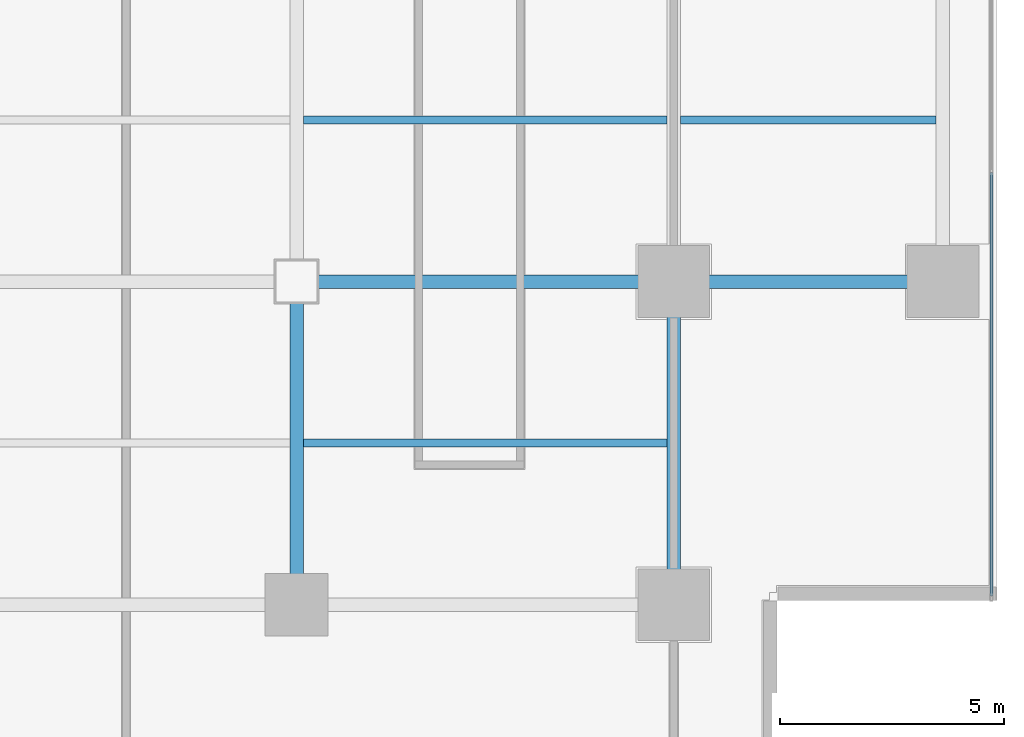
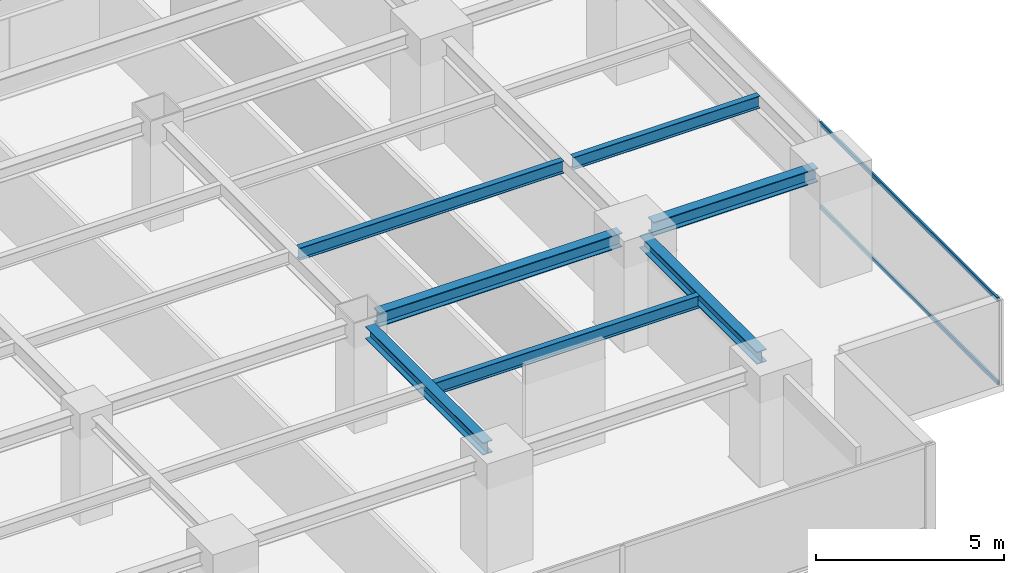
# One storey, part 10 of 27: 7 beams, 2 members, 1 element without a shape of its own.
"""IFC4 building model written with IfcOpenShell, lengths in metres."""

from ifc_helpers import new_model, si_unit, direction, frame, origin, origin_2d, place, context, subcontext, project, spatial, hollow_rectangle, i_section, extrude, source, transform, mapped, material, layer, layer_set, material_profile, profile_set, type_object, element, aggregate, save


model = new_model("IFC4")

# Units and contexts
model_context = context("Model", 3, precision=1e-05, world=origin(), true_north=direction((0.0, 1.0)))
body_context = subcontext(model_context, "Body", "Model", "MODEL_VIEW")
ifc_project = project(units=[si_unit("LENGTHUNIT", "METRE"), si_unit("AREAUNIT", "SQUARE_METRE"), si_unit("VOLUMEUNIT", "CUBIC_METRE"), si_unit("PLANEANGLEUNIT", "RADIAN"), si_unit("MASSUNIT", "GRAM", prefix="KILO")], contexts=[model_context])

# Site, building, storey
site_placement = place(None, origin())
site = spatial("IfcSite", under=ifc_project, at=site_placement, CompositionType="ELEMENT")
building_placement = place(site_placement, origin())
building = spatial("IfcBuilding", under=site, at=building_placement, Name="Sumidabori Civic Tower", CompositionType="ELEMENT")
storey_placement = place(building_placement, frame((0.0, 0.0, 164.0)))
storey = spatial("IfcBuildingStorey", under=building, at=storey_placement, Name="L42", CompositionType="ELEMENT", Elevation=164.0)

# Beams
ifc_material_1 = material(Name="Steel SN490", Category="steel")
ifc_material_profile_1 = material_profile(ifc_material_1, i_section(OverallWidth=0.300048828125, OverallDepth=0.39990234375, WebThickness=0.013427734375, FlangeThickness=0.02392578125, at=origin_2d()), Name="HE 400 B")
ifc_profile_set_1 = profile_set([ifc_material_profile_1], Name="Steel SN490")
beam_type_1 = type_object("IfcBeamType", Name="BM-GIRD-400", PredefinedType="BEAM", material=ifc_profile_set_1)
shared_shape_1 = source(origin(), body_context, "Body", "SweptSolid", [
    extrude(i_section(OverallWidth=0.300048828125, OverallDepth=0.39990234375, WebThickness=0.013427734375, FlangeThickness=0.02392578125, at=origin_2d()), origin(), (0.0, 0.0, 1.0), 6.239990234375),
])
for number, where, z_axis, x_axis, name in (
    (1, (8.39990234375, -17.52001953125, 3.179931640625), (0.0, 1.0, 0.0), (-1.0, 0.0, 0.0), "Primary Girder L42 GY-30"),
    (2, (16.800048828125, -17.52001953125, 3.179931640625), (0.0, 1.0, 0.0), (-1.0, 0.0, 0.0), "Primary Girder L42 GY-32"),
):
    element("IfcBeam", number, at=place(storey_placement, frame(where, z_axis=z_axis, x_axis=x_axis)), inside=storey, type_object=beam_type_1, Name=name, PredefinedType="BEAM", context=body_context, shape_type="MappedRepresentation", body=[
        mapped(shared_shape_1, transform((0.0, 0.0, 0.0), x_axis=(1.0, 0.0, 0.0), y_axis=(0.0, 1.0, 0.0), z_axis=(0.0, 0.0, 1.0), scale=1.0)),
    ])
ifc_material_profile_2 = material_profile(ifc_material_1, i_section(OverallWidth=0.179931640625, OverallDepth=0.39990234375, WebThickness=0.008544921875, FlangeThickness=0.013427734375, at=origin_2d()), Name="IPE 400")
ifc_profile_set_2 = profile_set([ifc_material_profile_2], Name="Steel SN490")
beam_type_2 = type_object("IfcBeamType", Name="BM-JST-400", PredefinedType="JOIST", material=ifc_profile_set_2)
shared_shape_2 = source(origin(), body_context, "Body", "SweptSolid", [
    extrude(i_section(OverallWidth=0.179931640625, OverallDepth=0.39990234375, WebThickness=0.008544921875, FlangeThickness=0.013427734375, at=origin_2d()), origin(), (0.0, 0.0, 1.0), 5.699951171875),
])
beam_1_placement = place(storey_placement, frame((16.949951171875, -7.199951171875, 3.179931640625), z_axis=(1.0, 0.0, 0.0), x_axis=(0.0, 1.0, 0.0)))
element("IfcBeam", 3, at=beam_1_placement, inside=storey, type_object=beam_type_2, Name="Outer Bay Floor Joist L42 JSTO-40", PredefinedType="JOIST", context=body_context, shape_type="MappedRepresentation", body=[
    mapped(shared_shape_2, transform((0.0, 0.0, 0.0), x_axis=(1.0, 0.0, 0.0), y_axis=(0.0, 1.0, 0.0), z_axis=(0.0, 0.0, 1.0), scale=1.0)),
])
shared_shape_3 = source(origin(), body_context, "Body", "SweptSolid", [
    extrude(i_section(OverallWidth=0.179931640625, OverallDepth=0.39990234375, WebThickness=0.008544921875, FlangeThickness=0.013427734375, at=origin_2d()), origin(), (0.0, 0.0, 1.0), 8.099853515625),
])
for number, where, z_axis, x_axis, name in (
    (4, (8.550048828125, -14.39990234375, 3.179931640625), (1.0, 0.0, 0.0), (0.0, 1.0, 0.0), "South Bay Floor Joist L42 JSTS-52"),
    (5, (8.550048828125, -7.199951171875, 3.179931640625), (1.0, 0.0, 0.0), (0.0, 1.0, 0.0), "South Bay Floor Joist L42 JSTS-56"),
):
    element("IfcBeam", number, at=place(storey_placement, frame(where, z_axis=z_axis, x_axis=x_axis)), inside=storey, type_object=beam_type_2, Name=name, PredefinedType="JOIST", context=body_context, shape_type="MappedRepresentation", body=[
        mapped(shared_shape_3, transform((0.0, 0.0, 0.0), x_axis=(1.0, 0.0, 0.0), y_axis=(0.0, 1.0, 0.0), z_axis=(0.0, 0.0, 1.0), scale=1.0)),
    ])
ifc_material_profile_3 = material_profile(ifc_material_1, i_section(OverallWidth=0.300048828125, OverallDepth=0.449951171875, WebThickness=0.013916015625, FlangeThickness=0.02587890625, at=origin_2d()), Name="HE 450 B")
ifc_profile_set_3 = profile_set([ifc_material_profile_3], Name="Steel SN490")
beam_type_3 = type_object("IfcBeamType", Name="BM-GIRD-450", PredefinedType="BEAM", material=ifc_profile_set_3)
shared_shape_4 = source(origin(), body_context, "Body", "SweptSolid", [
    extrude(i_section(OverallWidth=0.300048828125, OverallDepth=0.449951171875, WebThickness=0.013916015625, FlangeThickness=0.02587890625, at=origin_2d()), origin(), (0.0, 0.0, 1.0), 7.440185546875),
])
beam_2_placement = place(storey_placement, frame((8.8798828125, -10.800048828125, 3.155029296875), z_axis=(1.0, 0.0, 0.0), x_axis=(0.0, 1.0, 0.0)))
element("IfcBeam", 6, at=beam_2_placement, inside=storey, type_object=beam_type_3, Name="Primary Girder L42 GX-09", PredefinedType="BEAM", context=body_context, shape_type="MappedRepresentation", body=[
    mapped(shared_shape_4, transform((0.0, 0.0, 0.0), x_axis=(1.0, 0.0, 0.0), y_axis=(0.0, 1.0, 0.0), z_axis=(0.0, 0.0, 1.0), scale=1.0)),
])
shared_shape_5 = source(origin(), body_context, "Body", "SweptSolid", [
    extrude(i_section(OverallWidth=0.300048828125, OverallDepth=0.449951171875, WebThickness=0.013916015625, FlangeThickness=0.02587890625, at=origin_2d()), origin(), (0.0, 0.0, 1.0), 5.0400390625),
])
beam_3_placement = place(storey_placement, frame((17.280029296875, -10.800048828125, 3.155029296875), z_axis=(1.0, 0.0, 0.0), x_axis=(0.0, 1.0, 0.0)))
element("IfcBeam", 7, at=beam_3_placement, inside=storey, type_object=beam_type_3, Name="Primary Girder L42 GX-10", PredefinedType="BEAM", context=body_context, shape_type="MappedRepresentation", body=[
    mapped(shared_shape_5, transform((0.0, 0.0, 0.0), x_axis=(1.0, 0.0, 0.0), y_axis=(0.0, 1.0, 0.0), z_axis=(0.0, 0.0, 1.0), scale=1.0)),
])

# Curtain wall, members
ifc_material_2 = material(Name="Anodised Bronze Aluminium AW-6063-T6", Category="aluminium")
ifc_layer = layer(ifc_material_2, 0.179931640625, Name="Anodised Bronze Aluminium AW-6063-T6")
ifc_layer_set = layer_set([ifc_layer], Name="Anodised Bronze Aluminium AW-6063-T6")
curtain_wall_type = type_object("IfcCurtainWallType", Name="CW-SYS-3", PredefinedType="NOTDEFINED", material=ifc_layer_set)
curtain_wall_placement = place(storey_placement, origin())
curtain_wall = element("IfcCurtainWall", 8, at=curtain_wall_placement, inside=storey, type_object=curtain_wall_type, Name="Curtain Wall CW:L42:R04", PredefinedType="NOTDEFINED")
ifc_material_profile_4 = material_profile(ifc_material_2, hollow_rectangle(XDim=0.06005859375, YDim=0.1298828125, WallThickness=0.0048828125, at=origin_2d()), Name="ALU TRANSOM 130x60")
ifc_profile_set_4 = profile_set([ifc_material_profile_4], Name="Anodised Bronze Aluminium AW-6063-T6")
member_type = type_object("IfcMemberType", Name="CW-TRN-130", PredefinedType="USERDEFINED", material=ifc_profile_set_4)
shared_shape_6 = source(origin(), body_context, "Body", "SweptSolid", [
    extrude(hollow_rectangle(XDim=0.06005859375, YDim=0.1298828125, WallThickness=0.0048828125, at=origin_2d()), origin(), (0.0, 0.0, 1.0), 9.4375),
])
member_1_placement = place(storey_placement, frame((23.8798828125, -17.804931640625, 0.030029296875), z_axis=(0.0, 1.0, 0.0), x_axis=(-1.0, 0.0, 0.0)))
member_1 = element("IfcMember", 9, at=member_1_placement, type_object=member_type, Name="CW-3 transom 1.1", ObjectType="TRANSOM", PredefinedType="USERDEFINED", context=body_context, shape_type="MappedRepresentation", body=[
    mapped(shared_shape_6, transform((0.0, 0.0, 0.0), x_axis=(1.0, 0.0, 0.0), y_axis=(0.0, 1.0, 0.0), z_axis=(0.0, 0.0, 1.0), scale=1.0)),
])
member_2_placement = place(storey_placement, frame((23.8798828125, -17.804931640625, 2.72998046875), z_axis=(0.0, 1.0, 0.0), x_axis=(-1.0, 0.0, 0.0)))
member_2 = element("IfcMember", 10, at=member_2_placement, type_object=member_type, Name="CW-3 transom 1.2", ObjectType="TRANSOM", PredefinedType="USERDEFINED", context=body_context, shape_type="MappedRepresentation", body=[
    mapped(shared_shape_6, transform((0.0, 0.0, 0.0), x_axis=(1.0, 0.0, 0.0), y_axis=(0.0, 1.0, 0.0), z_axis=(0.0, 0.0, 1.0), scale=1.0)),
])
aggregate(curtain_wall, [member_1, member_2])

save(model, "model.ifc")
